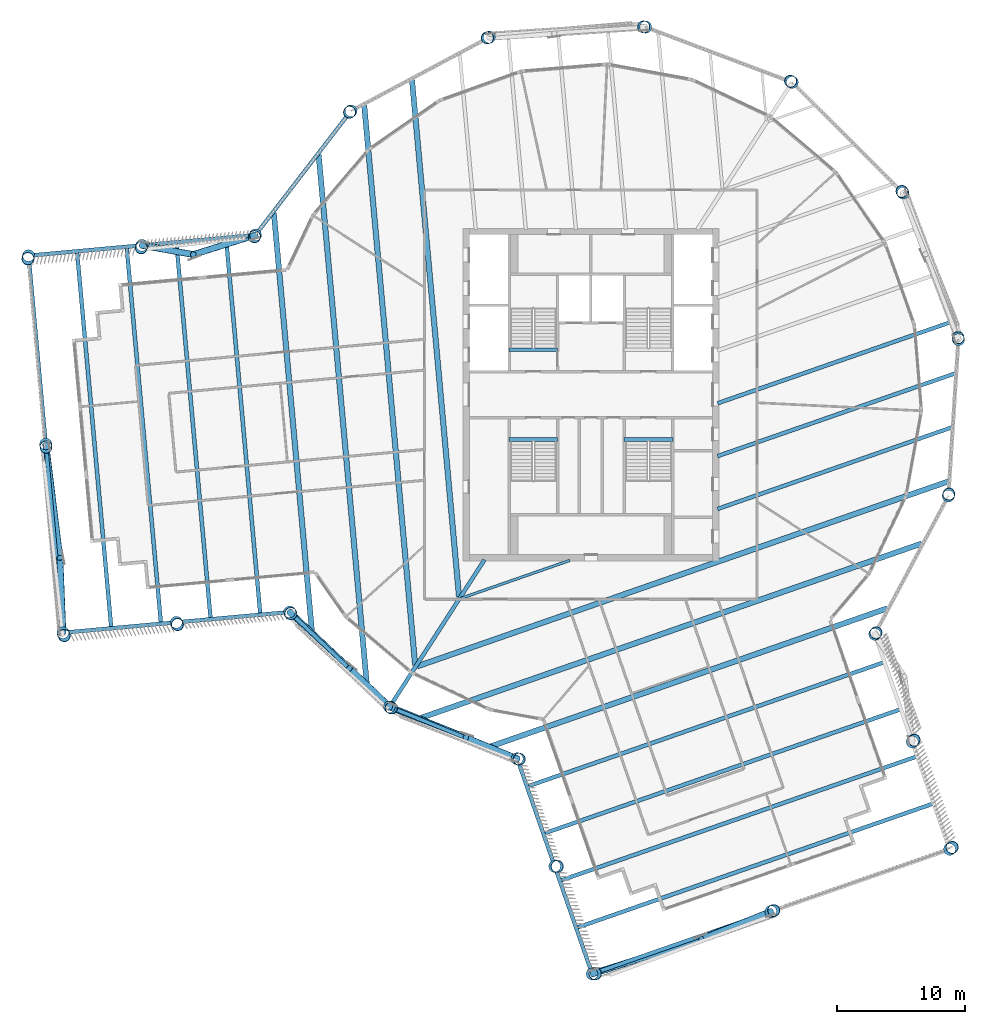
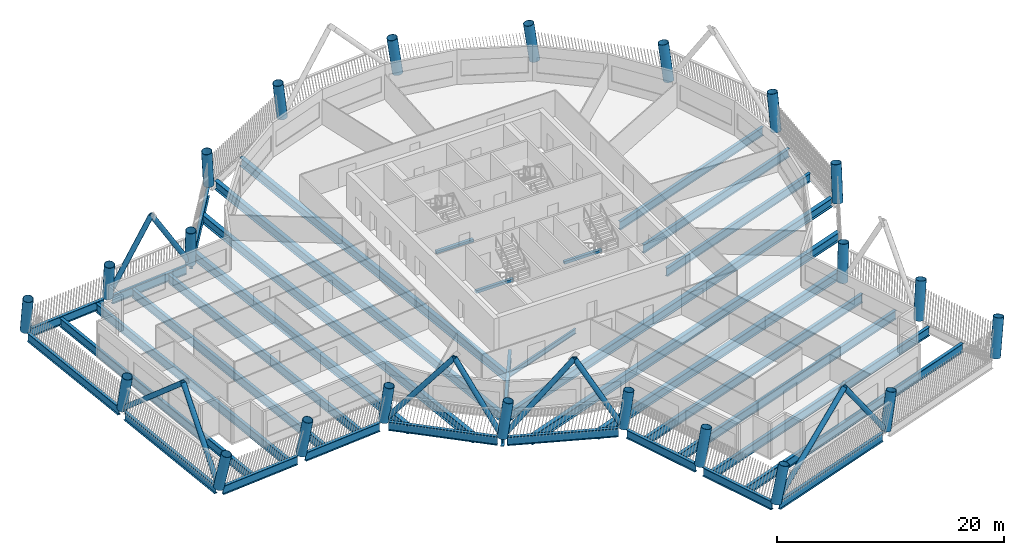
# One storey, part 1 of 23: 35 beams, 22 columns, 10 members.
"""IFC4 building model written with IfcOpenShell, lengths in metres."""

from ifc_helpers import new_model, si_unit, direction, frame, origin, origin_2d, place, context, subcontext, project, spatial, rectangle, hollow_circle, i_section, extrude, material, material_profile, profile_set, type_object, element, save


model = new_model("IFC4")

# Units and contexts
model_context = context("Model", 3, precision=1e-05, world=origin(), true_north=direction((0.0, 1.0)))
body_context = subcontext(model_context, "Body", "Model", "MODEL_VIEW")
ifc_project = project(units=[si_unit("LENGTHUNIT", "METRE"), si_unit("AREAUNIT", "SQUARE_METRE"), si_unit("VOLUMEUNIT", "CUBIC_METRE"), si_unit("PLANEANGLEUNIT", "RADIAN"), si_unit("MASSUNIT", "GRAM", prefix="KILO")], contexts=[model_context])

# Site, building, storey
site_placement = place(None, origin())
site = spatial("IfcSite", under=ifc_project, at=site_placement, CompositionType="ELEMENT")
building_placement = place(site_placement, origin())
building = spatial("IfcBuilding", under=site, at=building_placement, Name="Tarsis Ring Headquarters", CompositionType="ELEMENT")
storey_placement = place(building_placement, frame((0.0, 0.0, 308.0)))
storey = spatial("IfcBuildingStorey", under=building, at=storey_placement, Name="L72", CompositionType="ELEMENT", Elevation=308.0)

# Columns
ifc_material_1 = material(Name="Structural steel S355", Category="steel")
ifc_material_profile_1 = material_profile(ifc_material_1, hollow_circle(Radius=0.482666015625, WallThickness=0.0400390625, at=origin_2d()), Name="CHS 965x40")
ifc_profile_set_1 = profile_set([ifc_material_profile_1], Name="Structural steel S355")
column_type = type_object("IfcColumnType", Name="XC Exo column CHS 965x40", PredefinedType="COLUMN", material=ifc_profile_set_1)
for number, where, z_axis, x_axis, name in (
    (1, (-15.73388671875, -24.41845703125, 0.01611328125), (0.113218807961, -0.0715328517, 0.990991701606), (0.53413302653, 0.845400443559, 0.0), "Exo column XC7 F1"),
    (2, (-5.75439453125, -28.472900390625, 0.01611328125), (0.131537538759, -0.025360387624, 0.990986743926), (0.189313178892, 0.981916758334, 0.0), "Exo column XC7 AK"),
):
    element("IfcColumn", number, at=place(storey_placement, frame(where, z_axis=z_axis, x_axis=x_axis)), inside=storey, type_object=column_type, Name=name, PredefinedType="COLUMN", context=body_context, shape_type="SweptSolid", body=[
        extrude(hollow_circle(Radius=0.482666015625, WallThickness=0.0400390625, at=origin_2d()), origin(), (0.0, 0.0, 1.0), 3.918212890625),
    ])
column_1_placement = place(storey_placement, frame((-2.825439453125, -36.879638671875, 0.020263671875), z_axis=(0.169235066031, -0.011476718188, 0.985508892585), x_axis=(0.067659847025, 0.997708446943, 0.0)))
element("IfcColumn", 3, at=column_1_placement, inside=storey, type_object=column_type, Name="Exo column XC7 AI1", PredefinedType="COLUMN", context=body_context, shape_type="SweptSolid", body=[
    extrude(hollow_circle(Radius=0.482666015625, WallThickness=0.0400390625, at=origin_2d()), origin(), (0.0, 0.0, 1.0), 3.935546875),
])
column_2_placement = place(storey_placement, frame((0.103759765625, -45.286376953125, 0.024169921875), z_axis=(0.206255436799, 0.002281450273, 0.978495523636), x_axis=(-0.011060608877, 0.999938829595, 0.0)))
element("IfcColumn", 4, at=column_2_placement, inside=storey, type_object=column_type, Name="Exo column XC7 AT1", PredefinedType="COLUMN", context=body_context, shape_type="SweptSolid", body=[
    extrude(hollow_circle(Radius=0.482666015625, WallThickness=0.0400390625, at=origin_2d()), origin(), (0.0, 0.0, 1.0), 3.95947265625),
])
column_3_placement = place(storey_placement, frame((14.079833984375, -40.417724609375, 0.02294921875), z_axis=(0.18392497653, 0.06592138057, 0.980727268201), x_axis=(-0.337397853226, 0.941362145318, 0.0)))
element("IfcColumn", 5, at=column_3_placement, inside=storey, type_object=column_type, Name="Exo column XC7 AT2", PredefinedType="COLUMN", context=body_context, shape_type="SweptSolid", body=[
    extrude(hollow_circle(Radius=0.482666015625, WallThickness=0.0400390625, at=origin_2d()), origin(), (0.0, 0.0, 1.0), 3.95166015625),
])
column_4_placement = place(storey_placement, frame((28.05615234375, -35.548828125, 0.024169921875), z_axis=(0.160751256508, 0.129180622318, 0.978504675691), x_axis=(-0.626407329903, 0.779495899312, 0.0)))
element("IfcColumn", 6, at=column_4_placement, inside=storey, type_object=column_type, Name="Exo column XC7 AT3", PredefinedType="COLUMN", context=body_context, shape_type="SweptSolid", body=[
    extrude(hollow_circle(Radius=0.482666015625, WallThickness=0.0400390625, at=origin_2d()), origin(), (0.0, 0.0, 1.0), 3.95947265625),
])
column_5_placement = place(storey_placement, frame((25.127197265625, -27.142578125, 0.020263671875), z_axis=(0.123451489831, 0.116379394433, 0.985502697211), x_axis=(-0.685957561108, 0.727641549363, 0.0)))
element("IfcColumn", 7, at=column_5_placement, inside=storey, type_object=column_type, Name="Exo column XC7 AO1", PredefinedType="COLUMN", context=body_context, shape_type="SweptSolid", body=[
    extrude(hollow_circle(Radius=0.482666015625, WallThickness=0.0400390625, at=origin_2d()), origin(), (0.0, 0.0, 1.0), 3.935546875),
])
for number, where, z_axis, x_axis, name in (
    (8, (22.1982421875, -18.736328125, 0.01611328125), (0.085489597222, 0.103185694606, 0.990981453507), (-0.770047668943, 0.637986353738, 0.0), "Exo column XC7 AJ"),
    (9, (27.94775390625, -7.920654296875, 0.01611328125), (0.035392237366, 0.129231514608, 0.990982646249), (-0.964484257296, 0.264140336617, 0.0), "Exo column XC7 R1"),
    (10, (28.72802734375, 4.30322265625, 0.01611328125), (-0.021060811499, 0.132346637939, 0.990979722116), (-0.987573746854, -0.157156274217, 0.0), "Exo column XC7 R2"),
    (11, (24.400146484375, 15.76220703125, 0.01611328125), (-0.073713427808, 0.111847508804, 0.990987621182), (-0.8349727774, -0.550291251067, 0.0), "Exo column XC7 R3"),
    (12, (15.73388671875, 24.41845703125, 0.01611328125), (-0.113218807961, 0.0715328517, 0.990991701606), (-0.53413302653, -0.845400443559, 0.0), "Exo column XC7 R4"),
    (13, (4.270263671875, 28.73291015625, 0.01611328125), (-0.132720630155, 0.018506116036, 0.990980705161), (-0.13810056749, -0.990418211292, 0.0), "Exo column XC7 R5"),
    (14, (-7.952880859375, 27.938720703125, 0.01611328125), (-0.12854571901, -0.037884535704, 0.990979697107), (0.282694912586, -0.959209876095, 0.0), "Exo column XC7 R6"),
    (15, (-18.761962890625, 22.1767578125, 0.01611328125), (-0.101503292155, -0.087483500421, 0.990981189951), (0.652856832077, -0.757481324397, 0.0), "Exo column XC7 R7"),
    (16, (-26.23486328125, 12.4716796875, 0.01611328125), (-0.056453194738, -0.121505220463, 0.99098411602), (0.906894739889, -0.421357248379, 0.0), "Exo column XC7 BJ"),
):
    element("IfcColumn", number, at=place(storey_placement, frame(where, z_axis=z_axis, x_axis=x_axis)), inside=storey, type_object=column_type, Name=name, PredefinedType="COLUMN", context=body_context, shape_type="SweptSolid", body=[
        extrude(hollow_circle(Radius=0.482666015625, WallThickness=0.0400390625, at=origin_2d()), origin(), (0.0, 0.0, 1.0), 3.918212890625),
    ])
column_6_placement = place(storey_placement, frame((-35.1005859375, 11.66357421875, 0.020263671875), z_axis=(-0.052048135279, -0.161479494793, 0.985502594809), x_axis=(0.951780962681, -0.306778420165, 0.0)))
element("IfcColumn", 17, at=column_6_placement, inside=storey, type_object=column_type, Name="Exo column XC7 BO1", PredefinedType="COLUMN", context=body_context, shape_type="SweptSolid", body=[
    extrude(hollow_circle(Radius=0.482666015625, WallThickness=0.0400390625, at=origin_2d()), origin(), (0.0, 0.0, 1.0), 3.935546875),
])
column_7_placement = place(storey_placement, frame((-43.96630859375, 10.85498046875, 0.024169921875), z_axis=(-0.047664206519, -0.200645961207, 0.978503613518), x_axis=(0.972924786071, -0.231121960551, 0.0)))
element("IfcColumn", 18, at=column_7_placement, inside=storey, type_object=column_type, Name="Exo column XC7 BT3", PredefinedType="COLUMN", context=body_context, shape_type="SweptSolid", body=[
    extrude(hollow_circle(Radius=0.482666015625, WallThickness=0.0400390625, at=origin_2d()), origin(), (0.0, 0.0, 1.0), 3.95947265625),
])
column_8_placement = place(storey_placement, frame((-42.623291015625, -3.883544921875, 0.02294921875), z_axis=(0.019461258586, -0.194427240536, 0.980723869166), x_axis=(0.995027794205, 0.09959763431, 0.0)))
element("IfcColumn", 19, at=column_8_placement, inside=storey, type_object=column_type, Name="Exo column XC7 BT2", PredefinedType="COLUMN", context=body_context, shape_type="SweptSolid", body=[
    extrude(hollow_circle(Radius=0.482666015625, WallThickness=0.0400390625, at=origin_2d()), origin(), (0.0, 0.0, 1.0), 3.95166015625),
])
column_9_placement = place(storey_placement, frame((-41.2802734375, -18.622802734375, 0.024169921875), z_axis=(0.08644969868, -0.18720491098, 0.97850946388), x_axis=(0.907871842106, 0.419247800604, 0.0)))
element("IfcColumn", 20, at=column_9_placement, inside=storey, type_object=column_type, Name="Exo column XC7 BT1", PredefinedType="COLUMN", context=body_context, shape_type="SweptSolid", body=[
    extrude(hollow_circle(Radius=0.482666015625, WallThickness=0.0400390625, at=origin_2d()), origin(), (0.0, 0.0, 1.0), 3.95947265625),
])
column_10_placement = place(storey_placement, frame((-32.415283203125, -17.814453125, 0.020263671875), z_axis=(0.083066598299, -0.147894526023, 0.985508573996), x_axis=(0.871887908202, 0.489705498776, 0.0)))
element("IfcColumn", 21, at=column_10_placement, inside=storey, type_object=column_type, Name="Exo column XC7 BI1", PredefinedType="COLUMN", context=body_context, shape_type="SweptSolid", body=[
    extrude(hollow_circle(Radius=0.482666015625, WallThickness=0.0400390625, at=origin_2d()), origin(), (0.0, 0.0, 1.0), 3.935546875),
])
column_11_placement = place(storey_placement, frame((-23.550048828125, -17.00634765625, 0.01611328125), z_axis=(0.079445929279, -0.107859532222, 0.990986713145), x_axis=(0.805161045352, 0.593056229246, 0.0)))
element("IfcColumn", 22, at=column_11_placement, inside=storey, type_object=column_type, Name="Exo column XC7 BK", PredefinedType="COLUMN", context=body_context, shape_type="SweptSolid", body=[
    extrude(hollow_circle(Radius=0.482666015625, WallThickness=0.0400390625, at=origin_2d()), origin(), (0.0, 0.0, 1.0), 3.918212890625),
])

# Beams
ifc_material_profile_2 = material_profile(ifc_material_1, i_section(OverallWidth=0.209228515625, OverallDepth=0.533447265625, WebThickness=0.01025390625, FlangeThickness=0.015625, at=origin_2d()), Name="W21x62")
ifc_profile_set_2 = profile_set([ifc_material_profile_2], Name="Structural steel S355")
beam_type_1 = type_object("IfcBeamType", Name="FB Floor beam W21x62", PredefinedType="JOIST", material=ifc_profile_set_2)
beam_1_placement = place(storey_placement, frame((-10.1513671875, -15.92431640625, -0.4267578125), z_axis=(0.944371090641, 0.328881807283, 0.0), x_axis=(-0.328881807283, 0.944371090641, 0.0)))
element("IfcBeam", 23, at=beam_1_placement, inside=storey, type_object=beam_type_1, Name="Floor beam FB3", PredefinedType="JOIST", context=body_context, shape_type="SweptSolid", body=[
    extrude(i_section(OverallWidth=0.209228515625, OverallDepth=0.533447265625, WebThickness=0.01025390625, FlangeThickness=0.015625, at=origin_2d()), origin(), (0.0, 0.0, 1.0), 8.991943359375),
])
ifc_material_profile_3 = material_profile(ifc_material_1, i_section(OverallWidth=0.3046875, OverallDepth=0.904296875, WebThickness=0.01513671875, FlangeThickness=0.02001953125, at=origin_2d()), Name="W36x135")
ifc_profile_set_3 = profile_set([ifc_material_profile_3], Name="Structural steel S355")
beam_type_2 = type_object("IfcBeamType", Name="FB Floor beam W36x135", PredefinedType="JOIST", material=ifc_profile_set_3)
beam_2_placement = place(storey_placement, frame((9.905517578125, -0.68017578125, -0.612060546875), z_axis=(0.944378256104, 0.328861231218, 0.0), x_axis=(-0.328861231218, 0.944378256104, 0.0)))
element("IfcBeam", 24, at=beam_2_placement, inside=storey, type_object=beam_type_2, Name="Floor beam FB8", PredefinedType="JOIST", context=body_context, shape_type="SweptSolid", body=[
    extrude(i_section(OverallWidth=0.3046875, OverallDepth=0.904296875, WebThickness=0.01513671875, FlangeThickness=0.02001953125, at=origin_2d()), origin(), (0.0, 0.0, 1.0), 19.320556640625),
])
beam_3_placement = place(storey_placement, frame((9.905517578125, -4.81005859375, -0.612060546875), z_axis=(0.944373426331, 0.328875100366, 0.0), x_axis=(-0.328875100366, 0.944373426331, 0.0)))
element("IfcBeam", 25, at=beam_3_placement, inside=storey, type_object=beam_type_2, Name="Floor beam FB8", PredefinedType="JOIST", context=body_context, shape_type="SweptSolid", body=[
    extrude(i_section(OverallWidth=0.3046875, OverallDepth=0.904296875, WebThickness=0.01513671875, FlangeThickness=0.02001953125, at=origin_2d()), origin(), (0.0, 0.0, 1.0), 19.686279296875),
])
beam_4_placement = place(storey_placement, frame((9.905517578125, -8.939697265625, -0.612060546875), z_axis=(0.944378066273, 0.328861776346, 0.0), x_axis=(-0.328861776346, 0.944378066273, 0.0)))
element("IfcBeam", 26, at=beam_4_placement, inside=storey, type_object=beam_type_2, Name="Floor beam FB8", PredefinedType="JOIST", context=body_context, shape_type="SweptSolid", body=[
    extrude(i_section(OverallWidth=0.3046875, OverallDepth=0.904296875, WebThickness=0.01513671875, FlangeThickness=0.02001953125, at=origin_2d()), origin(), (0.0, 0.0, 1.0), 19.400634765625),
])
ifc_material_profile_4 = material_profile(ifc_material_1, i_section(OverallWidth=0.309814453125, OverallDepth=0.949951171875, WebThickness=0.0244140625, FlangeThickness=0.0439453125, at=origin_2d()), Name="W36x256")
ifc_profile_set_4 = profile_set([ifc_material_profile_4], Name="Structural steel S355")
beam_type_3 = type_object("IfcBeamType", Name="FB Floor beam W36x256", PredefinedType="JOIST", material=ifc_profile_set_4)
beam_5_placement = place(storey_placement, frame((-4.94677734375, -30.630615234375, -0.635009765625), z_axis=(0.94437655863, 0.328866105749, 0.0), x_axis=(-0.328866105749, 0.94437655863, 0.0)))
element("IfcBeam", 27, at=beam_5_placement, inside=storey, type_object=beam_type_3, Name="Floor beam FB11", PredefinedType="JOIST", context=body_context, shape_type="SweptSolid", body=[
    extrude(i_section(OverallWidth=0.309814453125, OverallDepth=0.949951171875, WebThickness=0.0244140625, FlangeThickness=0.0439453125, at=origin_2d()), origin(), (0.0, 0.0, 1.0), 29.489990234375),
])
beam_6_placement = place(storey_placement, frame((-3.664306640625, -34.313720703125, -0.635009765625), z_axis=(0.944377453993, 0.3288635346, 0.0), x_axis=(-0.3288635346, 0.944377453993, 0.0)))
element("IfcBeam", 28, at=beam_6_placement, inside=storey, type_object=beam_type_3, Name="Floor beam FB11", PredefinedType="JOIST", context=body_context, shape_type="SweptSolid", body=[
    extrude(i_section(OverallWidth=0.309814453125, OverallDepth=0.949951171875, WebThickness=0.0244140625, FlangeThickness=0.0439453125, at=origin_2d()), origin(), (0.0, 0.0, 1.0), 29.490234375),
])
beam_7_placement = place(storey_placement, frame((-2.381591796875, -37.996826171875, -0.635009765625), z_axis=(0.94437398744, 0.328873489121, 0.0), x_axis=(-0.328873489121, 0.94437398744, 0.0)))
element("IfcBeam", 29, at=beam_7_placement, inside=storey, type_object=beam_type_3, Name="Floor beam FB11", PredefinedType="JOIST", context=body_context, shape_type="SweptSolid", body=[
    extrude(i_section(OverallWidth=0.309814453125, OverallDepth=0.949951171875, WebThickness=0.0244140625, FlangeThickness=0.0439453125, at=origin_2d()), origin(), (0.0, 0.0, 1.0), 29.489990234375),
])
for number, where, z_axis, x_axis, name in (
    (30, (-1.09912109375, -41.679931640625, -0.635009765625), (0.944374882841, 0.328870917928, 0.0), (-0.328870917928, 0.944374882841, 0.0), "Floor beam FB11"),
    (31, (-28.52392578125, 12.210205078125, -0.635009765625), (0.090626811246, -0.995884923615, 0.0), (0.995884923615, 0.090626811246, 0.0), "Floor beam FB11"),
    (32, (-32.407958984375, 11.856689453125, -0.635009765625), (0.090635021931, -0.995884176398, 0.0), (0.995884176398, 0.090635021931, 0.0), "Floor beam FB11"),
):
    element("IfcBeam", number, at=place(storey_placement, frame(where, z_axis=z_axis, x_axis=x_axis)), inside=storey, type_object=beam_type_3, Name=name, PredefinedType="JOIST", context=body_context, shape_type="SweptSolid", body=[
        extrude(i_section(OverallWidth=0.309814453125, OverallDepth=0.949951171875, WebThickness=0.0244140625, FlangeThickness=0.0439453125, at=origin_2d()), origin(), (0.0, 0.0, 1.0), 29.490234375),
    ])
for number, where, z_axis, x_axis, name in (
    (33, (-36.2919921875, 11.503173828125, -0.635009765625), (0.090635769188, -0.99588410839, 0.0), (0.99588410839, 0.090635769188, 0.0), "Floor beam FB11"),
    (34, (-40.17578125, 11.149658203125, -0.635009765625), (0.090627558436, -0.995884855619, 0.0), (0.995884855619, 0.090627558436, 0.0), "Floor beam FB11"),
):
    element("IfcBeam", number, at=place(storey_placement, frame(where, z_axis=z_axis, x_axis=x_axis)), inside=storey, type_object=beam_type_3, Name=name, PredefinedType="JOIST", context=body_context, shape_type="SweptSolid", body=[
        extrude(i_section(OverallWidth=0.309814453125, OverallDepth=0.949951171875, WebThickness=0.0244140625, FlangeThickness=0.0439453125, at=origin_2d()), origin(), (0.0, 0.0, 1.0), 29.489990234375),
    ])
beam_type_4 = type_object("IfcBeamType", Name="FB Floor beam W36x256 spine", PredefinedType="BEAM", material=ifc_profile_set_4)
beam_8_placement = place(storey_placement, frame((-8.32373046875, -12.916015625, -0.635009765625), z_axis=(-0.541715400947, -0.840561969385, 0.0), x_axis=(0.840561969385, -0.541715400947, 0.0)))
element("IfcBeam", 35, at=beam_8_placement, inside=storey, type_object=beam_type_4, Name="Floor beam SB11", PredefinedType="BEAM", context=body_context, shape_type="SweptSolid", body=[
    extrude(i_section(OverallWidth=0.309814453125, OverallDepth=0.949951171875, WebThickness=0.0244140625, FlangeThickness=0.0439453125, at=origin_2d()), origin(), (0.0, 0.0, 1.0), 13.625),
])
ifc_material_profile_5 = material_profile(ifc_material_1, i_section(OverallWidth=0.42431640625, OverallDepth=0.947509765625, WebThickness=0.02392578125, FlangeThickness=0.042724609375, at=origin_2d()), Name="W36x302")
ifc_profile_set_5 = profile_set([ifc_material_profile_5], Name="Structural steel S355")
beam_type_5 = type_object("IfcBeamType", Name="FB Floor beam W36x302", PredefinedType="JOIST", material=ifc_profile_set_5)
beam_9_placement = place(storey_placement, frame((-13.582763671875, -21.248779296875, -0.6337890625), z_axis=(0.944377153355, 0.328864397923, 0.0), x_axis=(-0.328864397923, 0.944377153355, 0.0)))
element("IfcBeam", 36, at=beam_9_placement, inside=storey, type_object=beam_type_5, Name="Floor beam FB12", PredefinedType="JOIST", context=body_context, shape_type="SweptSolid", body=[
    extrude(i_section(OverallWidth=0.42431640625, OverallDepth=0.947509765625, WebThickness=0.02392578125, FlangeThickness=0.042724609375, at=origin_2d()), origin(), (0.0, 0.0, 1.0), 43.986328125),
])
beam_10_placement = place(storey_placement, frame((-13.341064453125, -25.29443359375, -0.6337890625), z_axis=(0.944376644367, 0.328865859545, 0.0), x_axis=(-0.328865859545, 0.944376644367, 0.0)))
element("IfcBeam", 37, at=beam_10_placement, inside=storey, type_object=beam_type_5, Name="Floor beam FB12", PredefinedType="JOIST", context=body_context, shape_type="SweptSolid", body=[
    extrude(i_section(OverallWidth=0.42431640625, OverallDepth=0.947509765625, WebThickness=0.02392578125, FlangeThickness=0.042724609375, at=origin_2d()), origin(), (0.0, 0.0, 1.0), 41.52392578125),
])
beam_11_placement = place(storey_placement, frame((-7.868408203125, -27.518310546875, -0.6337890625), z_axis=(0.94437771481, 0.328862785627, 0.0), x_axis=(-0.328862785627, 0.94437771481, 0.0)))
element("IfcBeam", 38, at=beam_11_placement, inside=storey, type_object=beam_type_5, Name="Floor beam FB12", PredefinedType="JOIST", context=body_context, shape_type="SweptSolid", body=[
    extrude(i_section(OverallWidth=0.42431640625, OverallDepth=0.947509765625, WebThickness=0.02392578125, FlangeThickness=0.042724609375, at=origin_2d()), origin(), (0.0, 0.0, 1.0), 32.87548828125),
])
beam_12_placement = place(storey_placement, frame((-13.991455078125, 24.6484375, -0.6337890625), z_axis=(0.09063053756, -0.995884584508, 0.0), x_axis=(0.995884584508, 0.09063053756, 0.0)))
element("IfcBeam", 39, at=beam_12_placement, inside=storey, type_object=beam_type_5, Name="Floor beam FB12", PredefinedType="JOIST", context=body_context, shape_type="SweptSolid", body=[
    extrude(i_section(OverallWidth=0.42431640625, OverallDepth=0.947509765625, WebThickness=0.02392578125, FlangeThickness=0.042724609375, at=origin_2d()), origin(), (0.0, 0.0, 1.0), 40.638671875),
])
beam_13_placement = place(storey_placement, frame((-17.7265625, 22.657958984375, -0.6337890625), z_axis=(0.090631329578, -0.995884512431, 0.0), x_axis=(0.995884512431, 0.090631329578, 0.0)))
element("IfcBeam", 40, at=beam_13_placement, inside=storey, type_object=beam_type_5, Name="Floor beam FB12", PredefinedType="JOIST", context=body_context, shape_type="SweptSolid", body=[
    extrude(i_section(OverallWidth=0.42431640625, OverallDepth=0.947509765625, WebThickness=0.02392578125, FlangeThickness=0.042724609375, at=origin_2d()), origin(), (0.0, 0.0, 1.0), 43.986572265625),
])
beam_14_placement = place(storey_placement, frame((-21.287353515625, 18.754150390625, -0.6337890625), z_axis=(0.090633288334, -0.99588433417, 0.0), x_axis=(0.99588433417, 0.090633288334, 0.0)))
element("IfcBeam", 41, at=beam_14_placement, inside=storey, type_object=beam_type_5, Name="Floor beam FB12", PredefinedType="JOIST", context=body_context, shape_type="SweptSolid", body=[
    extrude(i_section(OverallWidth=0.42431640625, OverallDepth=0.947509765625, WebThickness=0.02392578125, FlangeThickness=0.042724609375, at=origin_2d()), origin(), (0.0, 0.0, 1.0), 41.523681640625),
])
beam_15_placement = place(storey_placement, frame((-24.78955078125, 14.20654296875, -0.6337890625), z_axis=(0.090630156614, -0.995884619176, 0.0), x_axis=(0.995884619176, 0.090630156614, 0.0)))
element("IfcBeam", 42, at=beam_15_placement, inside=storey, type_object=beam_type_5, Name="Floor beam FB12", PredefinedType="JOIST", context=body_context, shape_type="SweptSolid", body=[
    extrude(i_section(OverallWidth=0.42431640625, OverallDepth=0.947509765625, WebThickness=0.02392578125, FlangeThickness=0.042724609375, at=origin_2d()), origin(), (0.0, 0.0, 1.0), 32.875244140625),
])
ifc_material_2 = material(Name="Concrete C40/50", Category="concrete")
ifc_material_profile_6 = material_profile(ifc_material_2, rectangle(XDim=0.300048828125, YDim=0.300048828125, at=origin_2d()), Name="Stair head beam 300x300 C40/50")
ifc_profile_set_6 = profile_set([ifc_material_profile_6], Name="Concrete C40/50")
beam_type_6 = type_object("IfcBeamType", Name="Stair head beam 300x300 C40/50", PredefinedType="BEAM", material=ifc_profile_set_6)
for number, where, z_axis, x_axis, name in (
    (43, (-6.39990234375, 3.510009765625, -0.31005859375), (1.0, 0.0, 0.0), (0.0, 1.0, 0.0), "Stair head beam L72 Firefighting stair"),
    (44, (-6.39990234375, -3.510009765625, -0.31005859375), (1.0, 0.0, 0.0), (0.0, 1.0, 0.0), "Stair head beam L72 Exit stair C"),
    (45, (2.60009765625, -3.510009765625, -0.31005859375), (1.0, 0.0, 0.0), (0.0, 1.0, 0.0), "Stair head beam L72 Exit stair D"),
):
    element("IfcBeam", number, at=place(storey_placement, frame(where, z_axis=z_axis, x_axis=x_axis)), inside=storey, type_object=beam_type_6, Name=name, PredefinedType="BEAM", context=body_context, shape_type="SweptSolid", body=[
        extrude(rectangle(XDim=0.300048828125, YDim=0.300048828125, at=origin_2d()), origin(), (0.0, 0.0, 1.0), 3.7998046875),
    ])

# Members
ifc_material_profile_7 = material_profile(ifc_material_1, hollow_circle(Radius=0.25390625, WallThickness=0.02001953125, at=origin_2d()), Name="CHS 508x20")
ifc_profile_set_7 = profile_set([ifc_material_profile_7], Name="Structural steel S355")
member_type = type_object("IfcMemberType", Name="XD X brace CHS 508x20", PredefinedType="BRACE", material=ifc_profile_set_7)
member_1_placement = place(storey_placement, frame((-15.73583984375, -24.417236328125, 0.0), z_axis=(0.589549088922, -0.237554598458, 0.77201015829), x_axis=(0.37374258885, 0.927532466968, 0.0)))
element("IfcMember", 46, at=member_1_placement, inside=storey, type_object=member_type, Name="X brace XD2", PredefinedType="BRACE", context=body_context, shape_type="SweptSolid", body=[
    extrude(hollow_circle(Radius=0.25390625, WallThickness=0.02001953125, at=origin_2d()), origin(), (0.0, 0.0, 1.0), 10.103515625),
])
member_2_placement = place(storey_placement, frame((-5.756591796875, -28.472412109375, 0.0), z_axis=(-0.450422490595, 0.185313713889, 0.873371860899), x_axis=(-0.380478789539, -0.924789646737, 0.0)))
element("IfcMember", 47, at=member_2_placement, inside=storey, type_object=member_type, Name="X brace XD2", PredefinedType="BRACE", context=body_context, shape_type="SweptSolid", body=[
    extrude(hollow_circle(Radius=0.25390625, WallThickness=0.02001953125, at=origin_2d()), origin(), (0.0, 0.0, 1.0), 8.930908203125),
])
member_3_placement = place(storey_placement, frame((0.0986328125, -45.28662109375, 0.0), z_axis=(0.718735038537, 0.228878970129, 0.656532071884), x_axis=(-0.303433042092, 0.95285276353, 0.0)))
element("IfcMember", 48, at=member_3_placement, inside=storey, type_object=member_type, Name="X brace XD2", PredefinedType="BRACE", context=body_context, shape_type="SweptSolid", body=[
    extrude(hollow_circle(Radius=0.25390625, WallThickness=0.02001953125, at=origin_2d()), origin(), (0.0, 0.0, 1.0), 11.880615234375),
])
member_4_placement = place(storey_placement, frame((14.075439453125, -40.419189453125, 0.0), z_axis=(-0.557828681757, -0.220371506792, 0.800164708547), x_axis=(0.367420365955, -0.930054984762, 0.0)))
element("IfcMember", 49, at=member_4_placement, inside=storey, type_object=member_type, Name="X brace XD2", PredefinedType="BRACE", context=body_context, shape_type="SweptSolid", body=[
    extrude(hollow_circle(Radius=0.25390625, WallThickness=0.02001953125, at=origin_2d()), origin(), (0.0, 0.0, 1.0), 9.748046875),
])
member_5_placement = place(storey_placement, frame((-26.234130859375, 12.4736328125, 0.0), z_axis=(-0.520958020533, -0.163723670234, 0.837733430542), x_axis=(0.299816608098, -0.953996856132, 0.0)))
element("IfcMember", 50, at=member_5_placement, inside=storey, type_object=member_type, Name="X brace XD2", PredefinedType="BRACE", context=body_context, shape_type="SweptSolid", body=[
    extrude(hollow_circle(Radius=0.25390625, WallThickness=0.02001953125, at=origin_2d()), origin(), (0.0, 0.0, 1.0), 9.310791015625),
])
member_6_placement = place(storey_placement, frame((-35.099609375, 11.666748046875, 0.0), z_axis=(0.456134807815, -0.081519014908, 0.886169107624), x_axis=(0.175929447539, 0.984402778079, 0.0)))
element("IfcMember", 51, at=member_6_placement, inside=storey, type_object=member_type, Name="X brace XD2", PredefinedType="BRACE", context=body_context, shape_type="SweptSolid", body=[
    extrude(hollow_circle(Radius=0.25390625, WallThickness=0.02001953125, at=origin_2d()), origin(), (0.0, 0.0, 1.0), 8.802001953125),
])
member_7_placement = place(storey_placement, frame((-42.623779296875, -3.879150390625, 0.0), z_axis=(0.09317816862, -0.748221516418, 0.656873192681), x_axis=(0.99233482466, 0.123578298125, 0.0)))
element("IfcMember", 52, at=member_7_placement, inside=storey, type_object=member_type, Name="X brace XD2", PredefinedType="BRACE", context=body_context, shape_type="SweptSolid", body=[
    extrude(hollow_circle(Radius=0.25390625, WallThickness=0.02001953125, at=origin_2d()), origin(), (0.0, 0.0, 1.0), 11.87451171875),
])
member_8_placement = place(storey_placement, frame((-41.282470703125, -18.6181640625, 0.0), z_axis=(-0.024075168049, 0.600102343719, 0.799560856562), x_axis=(-0.999196225627, -0.040086190794, 0.0)))
element("IfcMember", 53, at=member_8_placement, inside=storey, type_object=member_type, Name="X brace XD2", PredefinedType="BRACE", context=body_context, shape_type="SweptSolid", body=[
    extrude(hollow_circle(Radius=0.25390625, WallThickness=0.02001953125, at=origin_2d()), origin(), (0.0, 0.0, 1.0), 9.75537109375),
])
member_9_placement = place(storey_placement, frame((-23.55126953125, -17.00439453125, 0.0), z_axis=(0.462445974344, -0.436059152106, 0.772007860503), x_axis=(0.68604506865, 0.727559044876, 0.0)))
element("IfcMember", 54, at=member_9_placement, inside=storey, type_object=member_type, Name="X brace XD2", PredefinedType="BRACE", context=body_context, shape_type="SweptSolid", body=[
    extrude(hollow_circle(Radius=0.25390625, WallThickness=0.02001953125, at=origin_2d()), origin(), (0.0, 0.0, 1.0), 10.103515625),
])
member_10_placement = place(storey_placement, frame((-15.73583984375, -24.417236328125, 0.0), z_axis=(-0.351929041784, 0.336702657112, 0.873371209877), x_axis=(-0.69130292448, -0.722565060466, 0.0)))
element("IfcMember", 55, at=member_10_placement, inside=storey, type_object=member_type, Name="X brace XD2", PredefinedType="BRACE", context=body_context, shape_type="SweptSolid", body=[
    extrude(hollow_circle(Radius=0.25390625, WallThickness=0.02001953125, at=origin_2d()), origin(), (0.0, 0.0, 1.0), 8.930908203125),
])

# Beams
ifc_material_profile_8 = material_profile(ifc_material_1, i_section(OverallWidth=0.309814453125, OverallDepth=0.93212890625, WebThickness=0.02099609375, FlangeThickness=0.034423828125, at=origin_2d()), Name="W36x210")
ifc_profile_set_8 = profile_set([ifc_material_profile_8], Name="Structural steel S355")
beam_type_7 = type_object("IfcBeamType", Name="XG Ring girder W36x210", PredefinedType="BEAM", material=ifc_profile_set_8)
beam_16_placement = place(storey_placement, frame((-15.33349609375, -24.580810546875, -0.466064453125), z_axis=(0.926436217612, -0.376451769417, 0.0), x_axis=(0.376451769417, 0.926436217612, 0.0)))
element("IfcBeam", 56, at=beam_16_placement, inside=storey, type_object=beam_type_7, Name="Ring girder XG3", PredefinedType="BEAM", context=body_context, shape_type="SweptSolid", body=[
    extrude(i_section(OverallWidth=0.309814453125, OverallDepth=0.93212890625, WebThickness=0.02099609375, FlangeThickness=0.034423828125, at=origin_2d()), origin(), (0.0, 0.0, 1.0), 9.903076171875),
])
beam_17_placement = place(storey_placement, frame((-5.61376953125, -28.882568359375, -0.466064453125), z_axis=(0.328881284424, -0.944371272729, 0.0), x_axis=(0.944371272729, 0.328881284424, 0.0)))
element("IfcBeam", 57, at=beam_17_placement, inside=storey, type_object=beam_type_7, Name="Ring girder XG3", PredefinedType="BEAM", context=body_context, shape_type="SweptSolid", body=[
    extrude(i_section(OverallWidth=0.309814453125, OverallDepth=0.93212890625, WebThickness=0.02099609375, FlangeThickness=0.034423828125, at=origin_2d()), origin(), (0.0, 0.0, 1.0), 8.033447265625),
])
beam_18_placement = place(storey_placement, frame((-2.68603515625, -37.28955078125, -0.466064453125), z_axis=(0.328844743144, -0.944383997591, 0.0), x_axis=(0.944383997591, 0.328844743144, 0.0)))
element("IfcBeam", 58, at=beam_18_placement, inside=storey, type_object=beam_type_7, Name="Ring girder XG3", PredefinedType="BEAM", context=body_context, shape_type="SweptSolid", body=[
    extrude(i_section(OverallWidth=0.309814453125, OverallDepth=0.93212890625, WebThickness=0.02099609375, FlangeThickness=0.034423828125, at=origin_2d()), origin(), (0.0, 0.0, 1.0), 8.03369140625),
])
beam_19_placement = place(storey_placement, frame((0.5087890625, -45.143798828125, -0.466064453125), z_axis=(0.944377106557, 0.32886453231, 0.0), x_axis=(-0.32886453231, 0.944377106557, 0.0)))
element("IfcBeam", 59, at=beam_19_placement, inside=storey, type_object=beam_type_7, Name="Ring girder XG3", PredefinedType="BEAM", context=body_context, shape_type="SweptSolid", body=[
    extrude(i_section(OverallWidth=0.309814453125, OverallDepth=0.93212890625, WebThickness=0.02099609375, FlangeThickness=0.034423828125, at=origin_2d()), origin(), (0.0, 0.0, 1.0), 13.931396484375),
])
beam_20_placement = place(storey_placement, frame((-19.025146484375, 21.833984375, -0.466064453125), z_axis=(-0.610173058164, -0.792268161099, 0.0), x_axis=(0.792268161099, -0.610173058164, 0.0)))
element("IfcBeam", 60, at=beam_20_placement, inside=storey, type_object=beam_type_7, Name="Ring girder XG3", PredefinedType="BEAM", context=body_context, shape_type="SweptSolid", body=[
    extrude(i_section(OverallWidth=0.309814453125, OverallDepth=0.93212890625, WebThickness=0.02099609375, FlangeThickness=0.034423828125, at=origin_2d()), origin(), (0.0, 0.0, 1.0), 11.380126953125),
])
for number, where, z_axis, x_axis, name in (
    (61, (-26.66650390625, 12.434326171875, -0.466064453125), (-0.995885231421, -0.090623428749, 0.0), (0.090623428749, -0.995885231421, 0.0), "Ring girder XG3"),
    (62, (-35.5322265625, 11.62744140625, -0.466064453125), (-0.995885231421, -0.090623428749, 0.0), (0.090623428749, -0.995885231421, 0.0), "Ring girder XG3"),
):
    element("IfcBeam", number, at=place(storey_placement, frame(where, z_axis=z_axis, x_axis=x_axis)), inside=storey, type_object=beam_type_7, Name=name, PredefinedType="BEAM", context=body_context, shape_type="SweptSolid", body=[
        extrude(i_section(OverallWidth=0.309814453125, OverallDepth=0.93212890625, WebThickness=0.02099609375, FlangeThickness=0.034423828125, at=origin_2d()), origin(), (0.0, 0.0, 1.0), 8.033447265625),
    ])
for number, where, z_axis, x_axis, name in (
    (63, (-43.92578125, 10.427490234375, -0.466064453125), (0.090619490127, -0.995885589819, 0.0), (0.995885589819, 0.090619490127, 0.0), "Ring girder XG3"),
    (64, (-42.58447265625, -4.3115234375, -0.466064453125), (0.090636870734, -0.995884008137, 0.0), (0.995884008137, 0.090636870734, 0.0), "Ring girder XG3"),
):
    element("IfcBeam", number, at=place(storey_placement, frame(where, z_axis=z_axis, x_axis=x_axis)), inside=storey, type_object=beam_type_7, Name=name, PredefinedType="BEAM", context=body_context, shape_type="SweptSolid", body=[
        extrude(i_section(OverallWidth=0.309814453125, OverallDepth=0.93212890625, WebThickness=0.02099609375, FlangeThickness=0.034423828125, at=origin_2d()), origin(), (0.0, 0.0, 1.0), 13.931396484375),
    ])
for number, where, z_axis, x_axis, name in (
    (65, (-40.849853515625, -18.578857421875, -0.466064453125), (0.995882488245, 0.090653569192, 0.0), (-0.090653569192, 0.995882488245, 0.0), "Ring girder XG3"),
    (66, (-31.984375, -17.77197265625, -0.466064453125), (0.995885231421, 0.090623428749, 0.0), (-0.090623428749, 0.995885231421, 0.0), "Ring girder XG3"),
):
    element("IfcBeam", number, at=place(storey_placement, frame(where, z_axis=z_axis, x_axis=x_axis)), inside=storey, type_object=beam_type_7, Name=name, PredefinedType="BEAM", context=body_context, shape_type="SweptSolid", body=[
        extrude(i_section(OverallWidth=0.309814453125, OverallDepth=0.93212890625, WebThickness=0.02099609375, FlangeThickness=0.034423828125, at=origin_2d()), origin(), (0.0, 0.0, 1.0), 8.033447265625),
    ])
beam_21_placement = place(storey_placement, frame((-23.236083984375, -17.303466796875, -0.466064453125), z_axis=(0.725547019686, -0.688172596246, 0.0), x_axis=(0.688172596246, 0.725547019686, 0.0)))
element("IfcBeam", 67, at=beam_21_placement, inside=storey, type_object=beam_type_7, Name="Ring girder XG3", PredefinedType="BEAM", context=body_context, shape_type="SweptSolid", body=[
    extrude(i_section(OverallWidth=0.309814453125, OverallDepth=0.93212890625, WebThickness=0.02099609375, FlangeThickness=0.034423828125, at=origin_2d()), origin(), (0.0, 0.0, 1.0), 9.90283203125),
])

save(model, "model.ifc")
